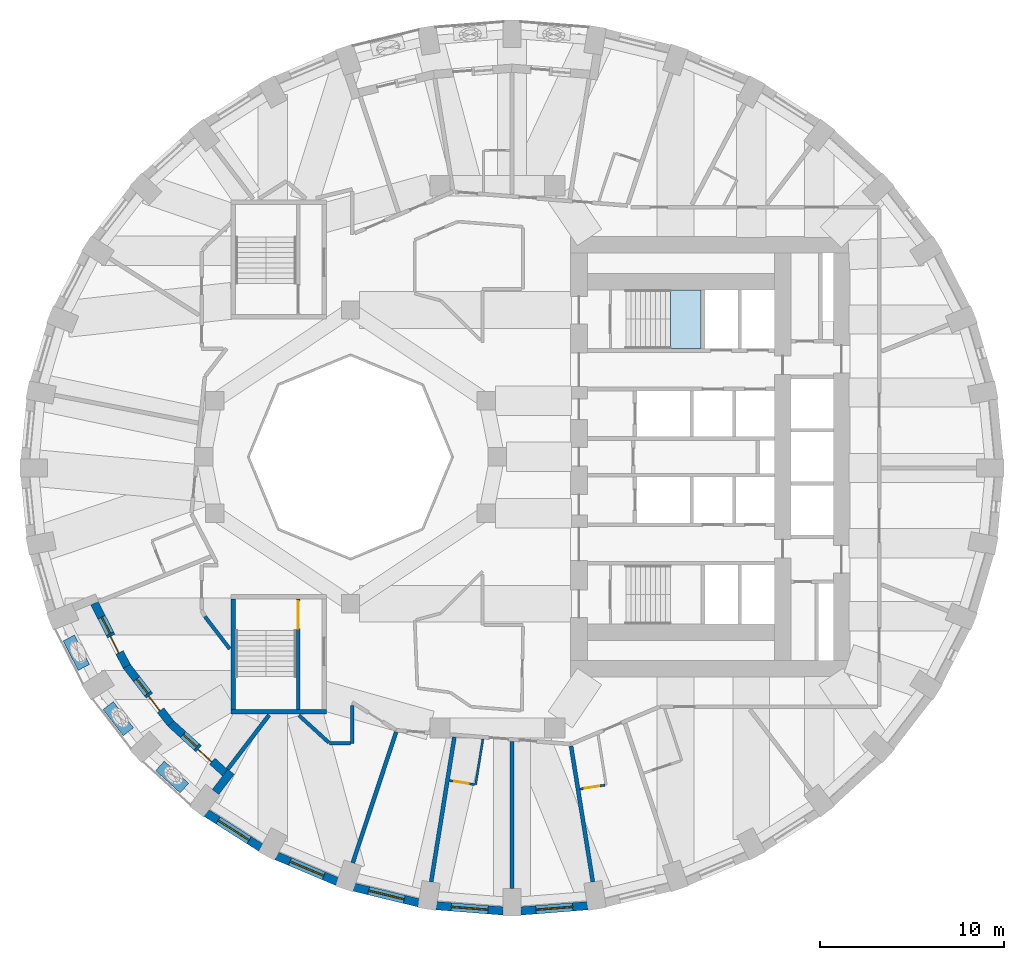
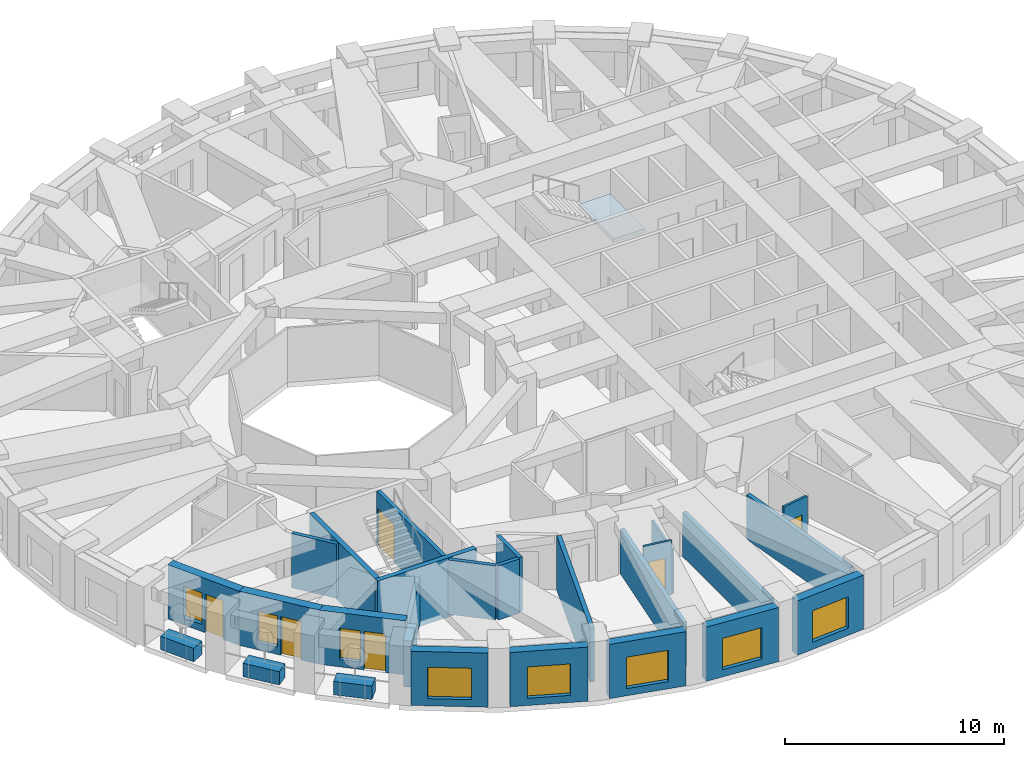
# One storey, part 3 of 12: 27 walls, 8 windows, 6 doors, 1 slab, 14 openings, 1 element without a shape of its own.
"""IFC4 building model written with IfcOpenShell, lengths in metres."""

from ifc_helpers import new_model, si_unit, direction, frame, frame_2d, origin, place, context, subcontext, project, spatial, polyline, rectangle, outline, extrude, material, layer, layer_set, constituent, constituent_set, type_object, element, fill, aggregate, save


model = new_model("IFC4")

# Units and contexts
model_context = context("Model", 3, precision=1e-05, world=origin(), true_north=direction((0.0, 1.0)))
body_context = subcontext(model_context, "Body", "Model", "MODEL_VIEW")
ifc_project = project(units=[si_unit("LENGTHUNIT", "METRE"), si_unit("AREAUNIT", "SQUARE_METRE"), si_unit("VOLUMEUNIT", "CUBIC_METRE"), si_unit("PLANEANGLEUNIT", "RADIAN"), si_unit("MASSUNIT", "GRAM", prefix="KILO")], contexts=[model_context])

# Site, building, storey
site_placement = place(None, origin())
site = spatial("IfcSite", under=ifc_project, at=site_placement, CompositionType="ELEMENT")
building_placement = place(site_placement, origin())
building = spatial("IfcBuilding", under=site, at=building_placement, Name="Taillehof Tower", CompositionType="ELEMENT")
storey_placement = place(building_placement, frame((0.0, 0.0, 128.5)))
storey = spatial("IfcBuildingStorey", under=building, at=storey_placement, Name="L36", CompositionType="ELEMENT", Elevation=128.5)

# Stair, slab
ifc_material_1 = material(Name="Concrete C40/50", Category="concrete")
stair_type = type_object("IfcStairType", Name="Exit stair half-turn", PredefinedType="HALF_TURN_STAIR", material=ifc_material_1)
stair_placement = place(storey_placement, origin())
stair = element("IfcStair", 1, at=stair_placement, inside=storey, type_object=stair_type, Name="Exit stair S1", PredefinedType="HALF_TURN_STAIR")
ifc_material_2 = material(Name="Concrete C40/50", Category="concrete")
ifc_layer_1 = layer(ifc_material_2, 0.2099609375)
ifc_layer_set_1 = layer_set([ifc_layer_1], Name="Stair landing C40/50 210")
slab_type = type_object("IfcSlabType", Name="Stair landing C40/50 210", PredefinedType="LANDING", material=ifc_layer_set_1)
slab_placement = place(storey_placement, frame((0.0, 0.0, 1.43994140625)))
slab = element("IfcSlab", 2, at=slab_placement, type_object=slab_type, Name="S1 landing 1", PredefinedType="LANDING", context=body_context, shape_type="SweptSolid", body=[
    extrude(outline(polyline([(9.429931640625, 5.89990234375), (11.10009765625, 5.89990234375), (11.10009765625, 9.10009765625), (9.429931640625, 9.10009765625), (9.429931640625, 5.89990234375)])), origin(), (0.0, 0.0, 1.0), 0.2099609375),
])
aggregate(stair, [slab])

# Wall, opening, window
ifc_material_3 = material(Name="Brick masonry", Category="masonry")
ifc_layer_2 = layer(ifc_material_3, 0.449951171875)
ifc_layer_set_2 = layer_set([ifc_layer_2], Name="Brick infill wall 450")
wall_type_1 = type_object("IfcWallType", Name="Brick infill wall 450", PredefinedType="SOLIDWALL", material=ifc_layer_set_2)
wall_1_placement = place(storey_placement, frame((-15.856201171875, -19.39208984375, 0.0), z_axis=(0.0, 0.0, 1.0), x_axis=(0.843891947083, -0.53651317006, 0.0)))
wall_1 = element("IfcWall", 3, at=wall_1_placement, inside=storey, type_object=wall_type_1, Name="Brick wall L36 bay 24", PredefinedType="SOLIDWALL", context=body_context, shape_type="SweptSolid", body=[
    extrude(rectangle(XDim=3.531982421875, YDim=0.449951171875, at=frame_2d((1.76611328125, 0.0))), origin(), (0.0, 0.0, 1.0), 3.02001953125),
])
opening_1_placement = place(wall_1_placement, frame((0.76611328125, 0.0, 0.39990234375)))
opening_1 = element("IfcOpeningElement", 4, at=opening_1_placement, cuts=wall_1, Name="Opening W2", PredefinedType="OPENING", context=body_context, shape_type="SweptSolid", body=[
    extrude(rectangle(XDim=2.0, YDim=1.75, at=frame_2d((1.0, 0.875))), frame((0.0, 0.23486328125, 0.0), z_axis=(0.0, -1.0, 0.0), x_axis=(1.0, 0.0, 0.0)), (0.0, 0.0, 1.0), 0.469970703125),
])
ifc_material_4 = material(Name="Aluminium window frame with clear double glazing", Category="aluminium")
window_type_1 = type_object("IfcWindowType", Name="Deep-set window 2000x1750", PartitioningType="SINGLE_PANEL", PredefinedType="WINDOW", material=ifc_material_4)
window_1_placement = place(opening_1_placement, origin())
window_1 = element("IfcWindow", 5, at=window_1_placement, inside=storey, type_object=window_type_1, Name="W2", OverallHeight=1.75, OverallWidth=2.0, PartitioningType="SINGLE_PANEL", PredefinedType="WINDOW", context=body_context, shape_type="SweptSolid", body=[
    extrude(rectangle(XDim=2.0, YDim=1.75, at=frame_2d((1.0, 0.875))), frame((0.0, 0.034912109375, 0.0), z_axis=(0.0, -1.0, 0.0), x_axis=(1.0, 0.0, 0.0)), (0.0, 0.0, 1.0), 0.06005859375),
])
fill(opening_1, window_1)

wall_2_placement = place(storey_placement, frame((-12.025390625, -21.7333984375, 0.0), z_axis=(0.0, 0.0, 1.0), x_axis=(0.920879975612, -0.389846213932, 0.0)))
wall_2 = element("IfcWall", 6, at=wall_2_placement, inside=storey, type_object=wall_type_1, Name="Brick wall L36 bay 25", PredefinedType="SOLIDWALL", context=body_context, shape_type="SweptSolid", body=[
    extrude(rectangle(XDim=3.591552734375, YDim=0.449951171875, at=frame_2d((1.7958984375, 0.0))), origin(), (0.0, 0.0, 1.0), 3.02001953125),
])
opening_2_placement = place(wall_2_placement, frame((0.795654296875, 0.0, 0.39990234375)))
opening_2 = element("IfcOpeningElement", 7, at=opening_2_placement, cuts=wall_2, Name="Opening W2", PredefinedType="OPENING", context=body_context, shape_type="SweptSolid", body=[
    extrude(rectangle(XDim=2.0, YDim=1.75, at=frame_2d((1.0, 0.875))), frame((0.0, 0.23486328125, 0.0), z_axis=(0.0, -1.0, 0.0), x_axis=(1.0, 0.0, 0.0)), (0.0, 0.0, 1.0), 0.469970703125),
])
window_2_placement = place(opening_2_placement, origin())
window_2 = element("IfcWindow", 8, at=window_2_placement, inside=storey, type_object=window_type_1, Name="W2", OverallHeight=1.75, OverallWidth=2.0, PartitioningType="SINGLE_PANEL", PredefinedType="WINDOW", context=body_context, shape_type="SweptSolid", body=[
    extrude(rectangle(XDim=2.0, YDim=1.75, at=frame_2d((1.0, 0.875))), frame((0.0, 0.034912109375, 0.0), z_axis=(0.0, -1.0, 0.0), x_axis=(1.0, 0.0, 0.0)), (0.0, 0.0, 1.0), 0.06005859375),
])
fill(opening_2, window_2)

wall_3_placement = place(storey_placement, frame((-7.806640625, -23.435302734375, 0.0), z_axis=(0.0, 0.0, 1.0), x_axis=(0.971667603162, -0.236351579148, 0.0)))
wall_3 = element("IfcWall", 9, at=wall_3_placement, inside=storey, type_object=wall_type_1, Name="Brick wall L36 bay 26", PredefinedType="SOLIDWALL", context=body_context, shape_type="SweptSolid", body=[
    extrude(rectangle(XDim=3.635009765625, YDim=0.449951171875, at=frame_2d((1.8173828125, 0.0))), origin(), (0.0, 0.0, 1.0), 3.02001953125),
])
opening_3_placement = place(wall_3_placement, frame((0.8173828125, 0.0, 0.39990234375)))
opening_3 = element("IfcOpeningElement", 10, at=opening_3_placement, cuts=wall_3, Name="Opening W2", PredefinedType="OPENING", context=body_context, shape_type="SweptSolid", body=[
    extrude(rectangle(XDim=2.0, YDim=1.75, at=frame_2d((1.0, 0.875))), frame((0.0, 0.23486328125, 0.0), z_axis=(0.0, -1.0, 0.0), x_axis=(1.0, 0.0, 0.0)), (0.0, 0.0, 1.0), 0.469970703125),
])
window_3_placement = place(opening_3_placement, origin())
window_3 = element("IfcWindow", 11, at=window_3_placement, inside=storey, type_object=window_type_1, Name="W2", OverallHeight=1.75, OverallWidth=2.0, PartitioningType="SINGLE_PANEL", PredefinedType="WINDOW", context=body_context, shape_type="SweptSolid", body=[
    extrude(rectangle(XDim=2.0, YDim=1.75, at=frame_2d((1.0, 0.875))), frame((0.0, 0.034912109375, 0.0), z_axis=(0.0, -1.0, 0.0), x_axis=(1.0, 0.0, 0.0)), (0.0, 0.0, 1.0), 0.06005859375),
])
fill(opening_3, window_3)

wall_4_placement = place(storey_placement, frame((-3.32666015625, -24.446533203125, 0.0), z_axis=(0.0, 0.0, 1.0), x_axis=(0.996862216754, -0.079156306178, 0.0)))
wall_4 = element("IfcWall", 12, at=wall_4_placement, inside=storey, type_object=wall_type_1, Name="Brick wall L36 bay 27", PredefinedType="SOLIDWALL", context=body_context, shape_type="SweptSolid", body=[
    extrude(rectangle(XDim=3.657958984375, YDim=0.449951171875, at=frame_2d((1.8291015625, 0.0))), origin(), (0.0, 0.0, 1.0), 3.02001953125),
])
opening_4_placement = place(wall_4_placement, frame((0.8291015625, 0.0, 0.39990234375)))
opening_4 = element("IfcOpeningElement", 13, at=opening_4_placement, cuts=wall_4, Name="Opening W2", PredefinedType="OPENING", context=body_context, shape_type="SweptSolid", body=[
    extrude(rectangle(XDim=2.0, YDim=1.75, at=frame_2d((1.0, 0.875))), frame((0.0, 0.23486328125, 0.0), z_axis=(0.0, -1.0, 0.0), x_axis=(1.0, 0.0, 0.0)), (0.0, 0.0, 1.0), 0.469970703125),
])
window_4_placement = place(opening_4_placement, origin())
window_4 = element("IfcWindow", 14, at=window_4_placement, inside=storey, type_object=window_type_1, Name="W2", OverallHeight=1.75, OverallWidth=2.0, PartitioningType="SINGLE_PANEL", PredefinedType="WINDOW", context=body_context, shape_type="SweptSolid", body=[
    extrude(rectangle(XDim=2.0, YDim=1.75, at=frame_2d((1.0, 0.875))), frame((0.0, 0.034912109375, 0.0), z_axis=(0.0, -1.0, 0.0), x_axis=(1.0, 0.0, 0.0)), (0.0, 0.0, 1.0), 0.06005859375),
])
fill(opening_4, window_4)

wall_5_placement = place(storey_placement, frame((1.280029296875, -24.736083984375, 0.0), z_axis=(0.0, 0.0, 1.0), x_axis=(0.996862216754, 0.079156306178, 0.0)))
wall_5 = element("IfcWall", 15, at=wall_5_placement, inside=storey, type_object=wall_type_1, Name="Brick wall L36 bay 28", PredefinedType="SOLIDWALL", context=body_context, shape_type="SweptSolid", body=[
    extrude(rectangle(XDim=3.657958984375, YDim=0.449951171875, at=frame_2d((1.8291015625, 0.0))), origin(), (0.0, 0.0, 1.0), 3.02001953125),
])
opening_5_placement = place(wall_5_placement, frame((0.8291015625, 0.0, 0.39990234375)))
opening_5 = element("IfcOpeningElement", 16, at=opening_5_placement, cuts=wall_5, Name="Opening W2", PredefinedType="OPENING", context=body_context, shape_type="SweptSolid", body=[
    extrude(rectangle(XDim=2.0, YDim=1.75, at=frame_2d((1.0, 0.875))), frame((0.0, 0.23486328125, 0.0), z_axis=(0.0, -1.0, 0.0), x_axis=(1.0, 0.0, 0.0)), (0.0, 0.0, 1.0), 0.469970703125),
])
window_5_placement = place(opening_5_placement, origin())
window_5 = element("IfcWindow", 17, at=window_5_placement, inside=storey, type_object=window_type_1, Name="W2", OverallHeight=1.75, OverallWidth=2.0, PartitioningType="SINGLE_PANEL", PredefinedType="WINDOW", context=body_context, shape_type="SweptSolid", body=[
    extrude(rectangle(XDim=2.0, YDim=1.75, at=frame_2d((1.0, 0.875))), frame((0.0, 0.034912109375, 0.0), z_axis=(0.0, -1.0, 0.0), x_axis=(1.0, 0.0, 0.0)), (0.0, 0.0, 1.0), 0.06005859375),
])
fill(opening_5, window_5)

# Wall
wall_6_placement = place(storey_placement, frame((-15.349853515625, -18.252685546875, 0.0), z_axis=(0.0, 0.0, 1.0), x_axis=(0.607026495834, 0.794681592435, 0.0)))
element("IfcWall", 18, at=wall_6_placement, inside=storey, type_object=wall_type_1, Name="Brick reveal L36 pocket 6", PredefinedType="SOLIDWALL", context=body_context, shape_type="SweptSolid", body=[
    extrude(rectangle(XDim=1.390869140625, YDim=0.449951171875, at=frame_2d((0.6953125, 0.0))), origin(), (0.0, 0.0, 1.0), 2.570068359375),
])

# Wall, openings, door, window
wall_7_placement = place(storey_placement, frame((-21.9453125, -7.970458984375, 0.0), z_axis=(0.0, 0.0, 1.0), x_axis=(0.455905146579, -0.89002836883, 0.0)))
wall_7 = element("IfcWall", 19, at=wall_7_placement, inside=storey, type_object=wall_type_1, Name="Brick wall L36 pocket bay 21", PredefinedType="SOLIDWALL", context=body_context, shape_type="SweptSolid", body=[
    extrude(rectangle(XDim=3.866943359375, YDim=0.449951171875, at=frame_2d((1.93359375, 0.0))), origin(), (0.0, 0.0, 1.0), 3.02001953125),
])
opening_6_placement = place(wall_7_placement, frame((0.8583984375, 0.0, 0.39990234375)))
opening_6 = element("IfcOpeningElement", 20, at=opening_6_placement, cuts=wall_7, Name="Opening W5", PredefinedType="OPENING", context=body_context, shape_type="SweptSolid", body=[
    extrude(rectangle(XDim=1.0, YDim=1.75, at=frame_2d((0.5, 0.875))), frame((0.0, 0.23486328125, 0.0), z_axis=(0.0, -1.0, 0.0), x_axis=(1.0, 0.0, 0.0)), (0.0, 0.0, 1.0), 0.469970703125),
])
opening_7_placement = place(wall_7_placement, frame((2.008544921875, 0.0, 0.0)))
opening_7 = element("IfcOpeningElement", 21, at=opening_7_placement, cuts=wall_7, Name="Opening D3694", PredefinedType="OPENING", context=body_context, shape_type="SweptSolid", body=[
    extrude(rectangle(XDim=1.0, YDim=2.14990234375, at=frame_2d((0.5, 1.074951171875))), frame((0.0, 0.23486328125, 0.0), z_axis=(0.0, -1.0, 0.0), x_axis=(1.0, 0.0, 0.0)), (0.0, 0.0, 1.0), 0.469970703125),
])
ifc_material_5 = material(Name="Aluminium door frame with clear double glazing", Category="aluminium")
door_type_1 = type_object("IfcDoorType", Name="Balcony door 1000x2150", OperationType="SINGLE_SWING_RIGHT", PredefinedType="DOOR", material=ifc_material_5)
door_1_placement = place(opening_7_placement, frame((1.0, 0.0, 0.0), z_axis=(0.0, 0.0, 1.0), x_axis=(-1.0, 0.0, 0.0)))
door_1 = element("IfcDoor", 22, at=door_1_placement, inside=storey, type_object=door_type_1, Name="Balcony door L36 bay 21", OperationType="SINGLE_SWING_RIGHT", OverallHeight=2.14990234375, OverallWidth=1.0, PredefinedType="DOOR", context=body_context, shape_type="SweptSolid", body=[
    extrude(rectangle(XDim=1.0, YDim=2.14990234375, at=frame_2d((0.5, 1.074951171875))), frame((0.0, 0.0751953125, 0.0), z_axis=(0.0, -1.0, 0.0), x_axis=(1.0, 0.0, 0.0)), (0.0, 0.0, 1.0), 0.050048828125),
])
fill(opening_7, door_1)
ifc_material_6 = material(Name="Aluminium window frame with clear double glazing", Category="aluminium")
window_type_2 = type_object("IfcWindowType", Name="Fixed window 1000x1750", PartitioningType="SINGLE_PANEL", PredefinedType="WINDOW", material=ifc_material_6)
window_6_placement = place(opening_6_placement, origin())
window_6 = element("IfcWindow", 23, at=window_6_placement, inside=storey, type_object=window_type_2, Name="W5", OverallHeight=1.75, OverallWidth=1.0, PartitioningType="SINGLE_PANEL", PredefinedType="WINDOW", context=body_context, shape_type="SweptSolid", body=[
    extrude(rectangle(XDim=1.0, YDim=1.75, at=frame_2d((0.5, 0.875))), frame((0.0, 0.034912109375, 0.0), z_axis=(0.0, -1.0, 0.0), x_axis=(1.0, 0.0, 0.0)), (0.0, 0.0, 1.0), 0.06005859375),
])
fill(opening_6, window_6)

wall_8_placement = place(storey_placement, frame((-20.204345703125, -11.37744140625, 0.0), z_axis=(0.0, 0.0, 1.0), x_axis=(0.609698858135, -0.792633144897, 0.0)))
wall_8 = element("IfcWall", 24, at=wall_8_placement, inside=storey, type_object=wall_type_1, Name="Brick wall L36 pocket bay 22", PredefinedType="SOLIDWALL", context=body_context, shape_type="SweptSolid", body=[
    extrude(rectangle(XDim=3.965087890625, YDim=0.449951171875, at=frame_2d((1.982421875, 0.0))), origin(), (0.0, 0.0, 1.0), 3.02001953125),
])
opening_8_placement = place(wall_8_placement, frame((0.907470703125, 0.0, 0.39990234375)))
opening_8 = element("IfcOpeningElement", 25, at=opening_8_placement, cuts=wall_8, Name="Opening W5", PredefinedType="OPENING", context=body_context, shape_type="SweptSolid", body=[
    extrude(rectangle(XDim=1.0, YDim=1.75, at=frame_2d((0.5, 0.875))), frame((0.0, 0.23486328125, 0.0), z_axis=(0.0, -1.0, 0.0), x_axis=(1.0, 0.0, 0.0)), (0.0, 0.0, 1.0), 0.469970703125),
])
opening_9_placement = place(wall_8_placement, frame((2.0576171875, 0.0, 0.0)))
opening_9 = element("IfcOpeningElement", 26, at=opening_9_placement, cuts=wall_8, Name="Opening D3695", PredefinedType="OPENING", context=body_context, shape_type="SweptSolid", body=[
    extrude(rectangle(XDim=1.0, YDim=2.14990234375, at=frame_2d((0.5, 1.074951171875))), frame((0.0, 0.23486328125, 0.0), z_axis=(0.0, -1.0, 0.0), x_axis=(1.0, 0.0, 0.0)), (0.0, 0.0, 1.0), 0.469970703125),
])
door_2_placement = place(opening_9_placement, frame((1.0, 0.0, 0.0), z_axis=(0.0, 0.0, 1.0), x_axis=(-1.0, 0.0, 0.0)))
door_2 = element("IfcDoor", 27, at=door_2_placement, inside=storey, type_object=door_type_1, Name="Balcony door L36 bay 22", OperationType="SINGLE_SWING_LEFT", OverallHeight=2.14990234375, OverallWidth=1.0, PredefinedType="DOOR", context=body_context, shape_type="SweptSolid", body=[
    extrude(rectangle(XDim=1.0, YDim=2.14990234375, at=frame_2d((0.5, 1.074951171875))), frame((0.0, 0.0751953125, 0.0), z_axis=(0.0, -1.0, 0.0), x_axis=(1.0, 0.0, 0.0)), (0.0, 0.0, 1.0), 0.050048828125),
])
fill(opening_9, door_2)
window_7_placement = place(opening_8_placement, origin())
window_7 = element("IfcWindow", 28, at=window_7_placement, inside=storey, type_object=window_type_2, Name="W5", OverallHeight=1.75, OverallWidth=1.0, PartitioningType="SINGLE_PANEL", PredefinedType="WINDOW", context=body_context, shape_type="SweptSolid", body=[
    extrude(rectangle(XDim=1.0, YDim=1.75, at=frame_2d((0.5, 0.875))), frame((0.0, 0.034912109375, 0.0), z_axis=(0.0, -1.0, 0.0), x_axis=(1.0, 0.0, 0.0)), (0.0, 0.0, 1.0), 0.06005859375),
])
fill(opening_8, window_7)

wall_9_placement = place(storey_placement, frame((-17.813720703125, -14.4912109375, 0.0), z_axis=(0.0, 0.0, 1.0), x_axis=(0.73951517403, -0.673139886933, 0.0)))
wall_9 = element("IfcWall", 29, at=wall_9_placement, inside=storey, type_object=wall_type_1, Name="Brick wall L36 pocket bay 23", PredefinedType="SOLIDWALL", context=body_context, shape_type="SweptSolid", body=[
    extrude(rectangle(XDim=4.03125, YDim=0.449951171875, at=frame_2d((2.015625, 0.0))), origin(), (0.0, 0.0, 1.0), 3.02001953125),
])
opening_10_placement = place(wall_9_placement, frame((0.940673828125, 0.0, 0.39990234375)))
opening_10 = element("IfcOpeningElement", 30, at=opening_10_placement, cuts=wall_9, Name="Opening W5", PredefinedType="OPENING", context=body_context, shape_type="SweptSolid", body=[
    extrude(rectangle(XDim=1.0, YDim=1.75, at=frame_2d((0.5, 0.875))), frame((0.0, 0.23486328125, 0.0), z_axis=(0.0, -1.0, 0.0), x_axis=(1.0, 0.0, 0.0)), (0.0, 0.0, 1.0), 0.469970703125),
])
opening_11_placement = place(wall_9_placement, frame((2.090576171875, 0.0, 0.0)))
opening_11 = element("IfcOpeningElement", 31, at=opening_11_placement, cuts=wall_9, Name="Opening D3696", PredefinedType="OPENING", context=body_context, shape_type="SweptSolid", body=[
    extrude(rectangle(XDim=1.0, YDim=2.14990234375, at=frame_2d((0.5, 1.074951171875))), frame((0.0, 0.23486328125, 0.0), z_axis=(0.0, -1.0, 0.0), x_axis=(1.0, 0.0, 0.0)), (0.0, 0.0, 1.0), 0.469970703125),
])
door_3_placement = place(opening_11_placement, frame((1.0, 0.0, 0.0), z_axis=(0.0, 0.0, 1.0), x_axis=(-1.0, 0.0, 0.0)))
door_3 = element("IfcDoor", 32, at=door_3_placement, inside=storey, type_object=door_type_1, Name="Balcony door L36 bay 23", OperationType="SINGLE_SWING_LEFT", OverallHeight=2.14990234375, OverallWidth=1.0, PredefinedType="DOOR", context=body_context, shape_type="SweptSolid", body=[
    extrude(rectangle(XDim=1.0, YDim=2.14990234375, at=frame_2d((0.5, 1.074951171875))), frame((0.0, 0.0751953125, 0.0), z_axis=(0.0, -1.0, 0.0), x_axis=(1.0, 0.0, 0.0)), (0.0, 0.0, 1.0), 0.050048828125),
])
fill(opening_11, door_3)
window_8_placement = place(opening_10_placement, origin())
window_8 = element("IfcWindow", 33, at=window_8_placement, inside=storey, type_object=window_type_2, Name="W5", OverallHeight=1.75, OverallWidth=1.0, PartitioningType="SINGLE_PANEL", PredefinedType="WINDOW", context=body_context, shape_type="SweptSolid", body=[
    extrude(rectangle(XDim=1.0, YDim=1.75, at=frame_2d((0.5, 0.875))), frame((0.0, 0.034912109375, 0.0), z_axis=(0.0, -1.0, 0.0), x_axis=(1.0, 0.0, 0.0)), (0.0, 0.0, 1.0), 0.06005859375),
])
fill(opening_10, window_8)

# Walls
ifc_material_7 = material(Name="Gypsum board on steel studs, two layers each side", Category="steel")
ifc_layer_3 = layer(ifc_material_7, 0.199951171875)
ifc_layer_set_3 = layer_set([ifc_layer_3], Name="Compartment wall corridor 200")
wall_type_2 = type_object("IfcWallType", Name="Compartment wall corridor 200", PredefinedType="PARTITIONING", material=ifc_layer_set_3)
wall_10_placement = place(storey_placement, frame((-14.573486328125, -10.4560546875, 0.0), z_axis=(0.0, 0.0, 1.0), x_axis=(-0.60967360535, 0.792652568872, 0.0)))
element("IfcWall", 34, at=wall_10_placement, inside=storey, type_object=wall_type_2, Name="Compartment wall", PredefinedType="PARTITIONING", context=body_context, shape_type="SweptSolid", body=[
    extrude(rectangle(XDim=2.222900390625, YDim=0.199951171875, at=frame_2d((1.111328125, 0.0))), origin(), (0.0, 0.0, 1.0), 3.02001953125),
])
wall_11_placement = place(storey_placement, frame((-7.89990234375, -13.552490234375, 0.0), z_axis=(0.0, 0.0, 1.0), x_axis=(0.0, -1.0, 0.0)))
element("IfcWall", 35, at=wall_11_placement, inside=storey, type_object=wall_type_2, Name="Compartment wall", PredefinedType="PARTITIONING", context=body_context, shape_type="SweptSolid", body=[
    extrude(rectangle(XDim=2.047607421875, YDim=0.199951171875, at=frame_2d((1.02392578125, 0.0))), origin(), (0.0, 0.0, 1.0), 3.02001953125),
])
wall_12_placement = place(storey_placement, frame((-8.0, -15.60009765625, 0.0), z_axis=(0.0, 0.0, 1.0), x_axis=(-1.0, 0.0, 0.0)))
element("IfcWall", 36, at=wall_12_placement, inside=storey, type_object=wall_type_2, Name="Compartment wall", PredefinedType="PARTITIONING", context=body_context, shape_type="SweptSolid", body=[
    extrude(rectangle(XDim=1.130859375, YDim=0.199951171875, at=frame_2d((0.5654296875, 0.0))), origin(), (0.0, 0.0, 1.0), 3.02001953125),
])
wall_13_placement = place(storey_placement, frame((-9.175537109375, -15.559814453125, 0.0), z_axis=(0.0, 0.0, 1.0), x_axis=(-0.73943556447, 0.673227336044, 0.0)))
element("IfcWall", 37, at=wall_13_placement, inside=storey, type_object=wall_type_2, Name="Compartment wall", PredefinedType="PARTITIONING", context=body_context, shape_type="SweptSolid", body=[
    extrude(rectangle(XDim=2.21240234375, YDim=0.199951171875, at=frame_2d((1.106201171875, 0.0))), origin(), (0.0, 0.0, 1.0), 3.02001953125),
])
ifc_material_8 = material(Name="Gypsum board on double steel studs with mineral wool", Category="steel")
ifc_layer_4 = layer(ifc_material_8, 0.219970703125)
ifc_layer_set_4 = layer_set([ifc_layer_4], Name="Compartment wall guest room 220")
wall_type_3 = type_object("IfcWallType", Name="Compartment wall guest room 220", PredefinedType="PARTITIONING", material=ifc_layer_set_4)
wall_14_placement = place(storey_placement, frame((-14.695556640625, -17.025390625, 0.0), z_axis=(0.0, 0.0, 1.0), x_axis=(0.607059278405, 0.794656550028, 0.0)))
element("IfcWall", 38, at=wall_14_placement, inside=storey, type_object=wall_type_3, Name="Compartment wall", PredefinedType="PARTITIONING", context=body_context, shape_type="SweptSolid", body=[
    extrude(rectangle(XDim=3.733642578125, YDim=0.219970703125, at=frame_2d((1.86669921875, 0.0))), origin(), (0.0, 0.0, 1.0), 2.570068359375),
])
wall_15_placement = place(storey_placement, frame((-7.873779296875, -22.11181640625, 0.0), z_axis=(0.0, 0.0, 1.0), x_axis=(0.314559895628, 0.949237626763, 0.0)))
element("IfcWall", 39, at=wall_15_placement, inside=storey, type_object=wall_type_3, Name="Compartment wall", PredefinedType="PARTITIONING", context=body_context, shape_type="SweptSolid", body=[
    extrude(rectangle(XDim=7.511474609375, YDim=0.219970703125, at=frame_2d((3.755859375, 0.0))), origin(), (0.0, 0.0, 1.0), 3.02001953125),
])
for number, where, z_axis, x_axis, name in (
    (40, (-3.604736328125, -23.150146484375, 0.0), (0.0, 0.0, 1.0), (0.158529156038, 0.987354296434, 0.0), "Compartment wall"),
    (41, (0.800048828125, -23.5, 0.0), (0.0, 0.0, 1.0), (0.0, 1.0, 0.0), "Compartment wall"),
):
    element("IfcWall", number, at=place(storey_placement, frame(where, z_axis=z_axis, x_axis=x_axis)), inside=storey, type_object=wall_type_3, Name=name, PredefinedType="PARTITIONING", context=body_context, shape_type="SweptSolid", body=[
        extrude(rectangle(XDim=7.98974609375, YDim=0.219970703125, at=frame_2d((3.994873046875, 0.0))), origin(), (0.0, 0.0, 1.0), 2.469970703125),
    ])
wall_16_placement = place(storey_placement, frame((5.20458984375, -23.150146484375, 0.0), z_axis=(0.0, 0.0, 1.0), x_axis=(-0.15850394357, 0.987358344206, 0.0)))
element("IfcWall", 42, at=wall_16_placement, inside=storey, type_object=wall_type_3, Name="Compartment wall", PredefinedType="PARTITIONING", context=body_context, shape_type="SweptSolid", body=[
    extrude(rectangle(XDim=7.491943359375, YDim=0.219970703125, at=frame_2d((3.74609375, 0.0))), origin(), (0.0, 0.0, 1.0), 2.469970703125),
])
ifc_material_9 = material(Name="Gypsum board on steel studs, moisture resistant", Category="steel")
ifc_layer_5 = layer(ifc_material_9, 0.1201171875)
ifc_layer_set_5 = layer_set([ifc_layer_5], Name="En-suite wall 120")
wall_type_4 = type_object("IfcWallType", Name="En-suite wall 120", PredefinedType="PARTITIONING", material=ifc_layer_set_5)
wall_17_placement = place(storey_placement, frame((-0.784912109375, -15.364501953125, 0.0), z_axis=(0.0, 0.0, 1.0), x_axis=(-0.158514788195, -0.987356603221, 0.0)))
element("IfcWall", 43, at=wall_17_placement, inside=storey, type_object=wall_type_4, Name="En-suite wall", PredefinedType="PARTITIONING", context=body_context, shape_type="SweptSolid", body=[
    extrude(rectangle(XDim=2.5244140625, YDim=0.1201171875, at=frame_2d((1.26220703125, 0.0))), origin(), (0.0, 0.0, 1.0), 2.469970703125),
])

# Wall, opening, door
wall_18_placement = place(storey_placement, frame((-1.244384765625, -17.847412109375, 0.0), z_axis=(0.0, 0.0, 1.0), x_axis=(-0.987324430422, 0.158715056288, 0.0)))
wall_18 = element("IfcWall", 44, at=wall_18_placement, inside=storey, type_object=wall_type_4, Name="En-suite wall", PredefinedType="PARTITIONING", context=body_context, shape_type="SweptSolid", body=[
    extrude(rectangle(XDim=1.3798828125, YDim=0.1201171875, at=frame_2d((0.68994140625, 0.0))), origin(), (0.0, 0.0, 1.0), 3.02001953125),
])
opening_12_placement = place(wall_18_placement, frame((0.31494140625, 0.0, 0.0)))
opening_12 = element("IfcOpeningElement", 45, at=opening_12_placement, cuts=wall_18, Name="Opening D3658", PredefinedType="OPENING", context=body_context, shape_type="SweptSolid", body=[
    extrude(rectangle(XDim=0.800048828125, YDim=2.10009765625, at=frame_2d((0.39990234375, 1.050048828125))), frame((0.0, 0.070068359375, 0.0), z_axis=(0.0, -1.0, 0.0), x_axis=(1.0, 0.0, 0.0)), (0.0, 0.0, 1.0), 0.14013671875),
])
ifc_material_10 = material(Name="Timber door leaf in steel frame", Category="steel")
door_type_2 = type_object("IfcDoorType", Name="En-suite door 800 x 2100", OperationType="SINGLE_SWING_LEFT", PredefinedType="DOOR", material=ifc_material_10)
door_4_placement = place(opening_12_placement, origin())
door_4 = element("IfcDoor", 46, at=door_4_placement, inside=storey, type_object=door_type_2, Name="D3658", OperationType="SINGLE_SWING_RIGHT", OverallHeight=2.10009765625, OverallWidth=0.800048828125, PredefinedType="DOOR", context=body_context, shape_type="SweptSolid", body=[
    extrude(rectangle(XDim=0.800048828125, YDim=2.10009765625, at=frame_2d((0.39990234375, 1.050048828125))), frame((0.0, 0.02490234375, 0.0), z_axis=(0.0, -1.0, 0.0), x_axis=(1.0, 0.0, 0.0)), (0.0, 0.0, 1.0), 0.050048828125),
])
fill(opening_12, door_4)

wall_19_placement = place(storey_placement, frame((5.866943359375, -17.875732421875, 0.0), z_axis=(0.0, 0.0, 1.0), x_axis=(-0.98735658966, -0.158514872664, 0.0)))
wall_19 = element("IfcWall", 47, at=wall_19_placement, inside=storey, type_object=wall_type_4, Name="En-suite wall", PredefinedType="PARTITIONING", context=body_context, shape_type="SweptSolid", body=[
    extrude(rectangle(XDim=1.3798828125, YDim=0.1201171875, at=frame_2d((0.68994140625, 0.0))), origin(), (0.0, 0.0, 1.0), 3.02001953125),
])
opening_13_placement = place(wall_19_placement, frame((0.31494140625, 0.0, 0.0)))
opening_13 = element("IfcOpeningElement", 48, at=opening_13_placement, cuts=wall_19, Name="Opening D3661", PredefinedType="OPENING", context=body_context, shape_type="SweptSolid", body=[
    extrude(rectangle(XDim=0.800048828125, YDim=2.10009765625, at=frame_2d((0.39990234375, 1.050048828125))), frame((0.0, 0.070068359375, 0.0), z_axis=(0.0, -1.0, 0.0), x_axis=(1.0, 0.0, 0.0)), (0.0, 0.0, 1.0), 0.14013671875),
])
door_5_placement = place(opening_13_placement, origin())
door_5 = element("IfcDoor", 49, at=door_5_placement, inside=storey, type_object=door_type_2, Name="D3661", OperationType="SINGLE_SWING_RIGHT", OverallHeight=2.10009765625, OverallWidth=0.800048828125, PredefinedType="DOOR", context=body_context, shape_type="SweptSolid", body=[
    extrude(rectangle(XDim=0.800048828125, YDim=2.10009765625, at=frame_2d((0.39990234375, 1.050048828125))), frame((0.0, 0.02490234375, 0.0), z_axis=(0.0, -1.0, 0.0), x_axis=(1.0, 0.0, 0.0)), (0.0, 0.0, 1.0), 0.050048828125),
])
fill(opening_13, door_5)

# Walls
ifc_material_11 = material(Name="Concrete C30/37 precast", Category="concrete")
ifc_constituent_1 = constituent(ifc_material_11, Name="Structure", Category="concrete")
ifc_material_12 = material(Name="Insulated lining")
ifc_constituent_2 = constituent(ifc_material_12, Name="Lining")
ifc_constituent_set = constituent_set(constituents=[ifc_constituent_1, ifc_constituent_2], Name="Planter trough 700x750")
wall_type_5 = type_object("IfcWallType", Name="Planter trough 700x750", PredefinedType="USERDEFINED", material=ifc_constituent_set)
wall_20_placement = place(storey_placement, frame((-23.341796875, -9.863525390625, 0.0), z_axis=(0.0, 0.0, 1.0), x_axis=(0.456845298981, -0.88954616114, 0.0)))
element("IfcWall", 50, at=wall_20_placement, inside=storey, type_object=wall_type_5, Name="Planter L36 bay 21", ObjectType="PLANTER", PredefinedType="USERDEFINED", context=body_context, shape_type="SweptSolid", body=[
    extrude(rectangle(XDim=1.7998046875, YDim=0.699951171875, at=frame_2d((0.89990234375, 0.0))), origin(), (0.0, 0.0, 1.0), 0.75),
])
wall_21_placement = place(storey_placement, frame((-21.19580078125, -13.54443359375, 0.0), z_axis=(0.0, 0.0, 1.0), x_axis=(0.610686846919, -0.791872196127, 0.0)))
element("IfcWall", 51, at=wall_21_placement, inside=storey, type_object=wall_type_5, Name="Planter L36 bay 22", ObjectType="PLANTER", PredefinedType="USERDEFINED", context=body_context, shape_type="SweptSolid", body=[
    extrude(rectangle(XDim=1.80029296875, YDim=0.699951171875, at=frame_2d((0.900146484375, 0.0))), origin(), (0.0, 0.0, 1.0), 0.75),
])
wall_22_placement = place(storey_placement, frame((-18.376708984375, -16.8291015625, 0.0), z_axis=(0.0, 0.0, 1.0), x_axis=(0.740332755969, -0.6722405897, 0.0)))
element("IfcWall", 52, at=wall_22_placement, inside=storey, type_object=wall_type_5, Name="Planter L36 bay 23", ObjectType="PLANTER", PredefinedType="USERDEFINED", context=body_context, shape_type="SweptSolid", body=[
    extrude(rectangle(XDim=1.7998046875, YDim=0.699951171875, at=frame_2d((0.89990234375, 0.0))), origin(), (0.0, 0.0, 1.0), 0.75),
])

# Wall, opening, door
ifc_material_13 = material(Name="Concrete C50/60", Category="concrete")
ifc_layer_6 = layer(ifc_material_13, 0.199951171875)
ifc_layer_set_6 = layer_set([ifc_layer_6], Name="Shaft wall C50/60 200")
wall_type_6 = type_object("IfcWallType", Name="Shaft wall C50/60 200", PredefinedType="SHEAR", material=ifc_layer_set_6)
wall_23_placement = place(storey_placement, frame((-10.85009765625, -13.75, 0.0), z_axis=(0.0, 0.0, 1.0), x_axis=(0.0, 1.0, 0.0)))
wall_23 = element("IfcWall", 53, at=wall_23_placement, inside=storey, type_object=wall_type_6, Name="Shaft wall SW", PredefinedType="SHEAR", context=body_context, shape_type="SweptSolid", body=[
    extrude(rectangle(XDim=6.0, YDim=0.199951171875, at=frame_2d((3.0, 0.0))), origin(), (0.0, 0.0, 1.0), 3.02001953125),
])
opening_14_placement = place(wall_23_placement, frame((4.39990234375, 0.0, 0.0)))
opening_14 = element("IfcOpeningElement", 54, at=opening_14_placement, cuts=wall_23, Name="Opening D3613", PredefinedType="OPENING", context=body_context, shape_type="SweptSolid", body=[
    extrude(rectangle(XDim=1.5, YDim=2.10009765625, at=frame_2d((0.75, 1.050048828125))), frame((0.0, 0.10986328125, 0.0), z_axis=(0.0, -1.0, 0.0), x_axis=(1.0, 0.0, 0.0)), (0.0, 0.0, 1.0), 0.219970703125),
])
ifc_material_14 = material(Name="Steel-faced fire door", Category="steel")
door_type_3 = type_object("IfcDoorType", Name="Stair door 1500x2100", OperationType="DOUBLE_DOOR_SINGLE_SWING", PredefinedType="DOOR", material=ifc_material_14)
door_6_placement = place(opening_14_placement, origin())
door_6 = element("IfcDoor", 55, at=door_6_placement, inside=storey, type_object=door_type_3, Name="Stair lobby door S4", OperationType="DOUBLE_DOOR_SINGLE_SWING", OverallHeight=2.10009765625, OverallWidth=1.5, PredefinedType="DOOR", context=body_context, shape_type="SweptSolid", body=[
    extrude(rectangle(XDim=1.5, YDim=2.10009765625, at=frame_2d((0.75, 1.050048828125))), frame((0.0, 0.02490234375, 0.0), z_axis=(0.0, -1.0, 0.0), x_axis=(1.0, 0.0, 0.0)), (0.0, 0.0, 1.0), 0.050048828125),
])
fill(opening_14, door_6)

# Walls
ifc_material_15 = material(Name="Concrete C50/60", Category="concrete")
ifc_layer_7 = layer(ifc_material_15, 0.25)
ifc_layer_set_7 = layer_set([ifc_layer_7], Name="Stair wall C50/60 250")
wall_type_7 = type_object("IfcWallType", Name="Stair wall C50/60 250", PredefinedType="SHEAR", material=ifc_layer_set_7)
wall_24_placement = place(storey_placement, frame((-14.375, -13.75, -0.280029296875), z_axis=(0.0, 0.0, 1.0), x_axis=(0.0, 1.0, 0.0)))
element("IfcWall", 56, at=wall_24_placement, inside=storey, type_object=wall_type_7, Name="Stair wall SC", PredefinedType="SHEAR", context=body_context, shape_type="SweptSolid", body=[
    extrude(rectangle(XDim=6.0, YDim=0.25, at=frame_2d((3.0, 0.0))), origin(), (0.0, 0.0, 1.0), 3.300048828125),
])
wall_25_placement = place(storey_placement, frame((-14.5, -13.875, -0.280029296875), z_axis=(0.0, 0.0, 1.0), x_axis=(1.0, 0.0, 0.0)))
element("IfcWall", 57, at=wall_25_placement, inside=storey, type_object=wall_type_7, Name="Stair wall SC", PredefinedType="SHEAR", context=body_context, shape_type="SweptSolid", body=[
    extrude(rectangle(XDim=5.199951171875, YDim=0.25, at=frame_2d((2.60009765625, 0.0))), origin(), (0.0, 0.0, 1.0), 3.300048828125),
])

save(model, "model.ifc")
